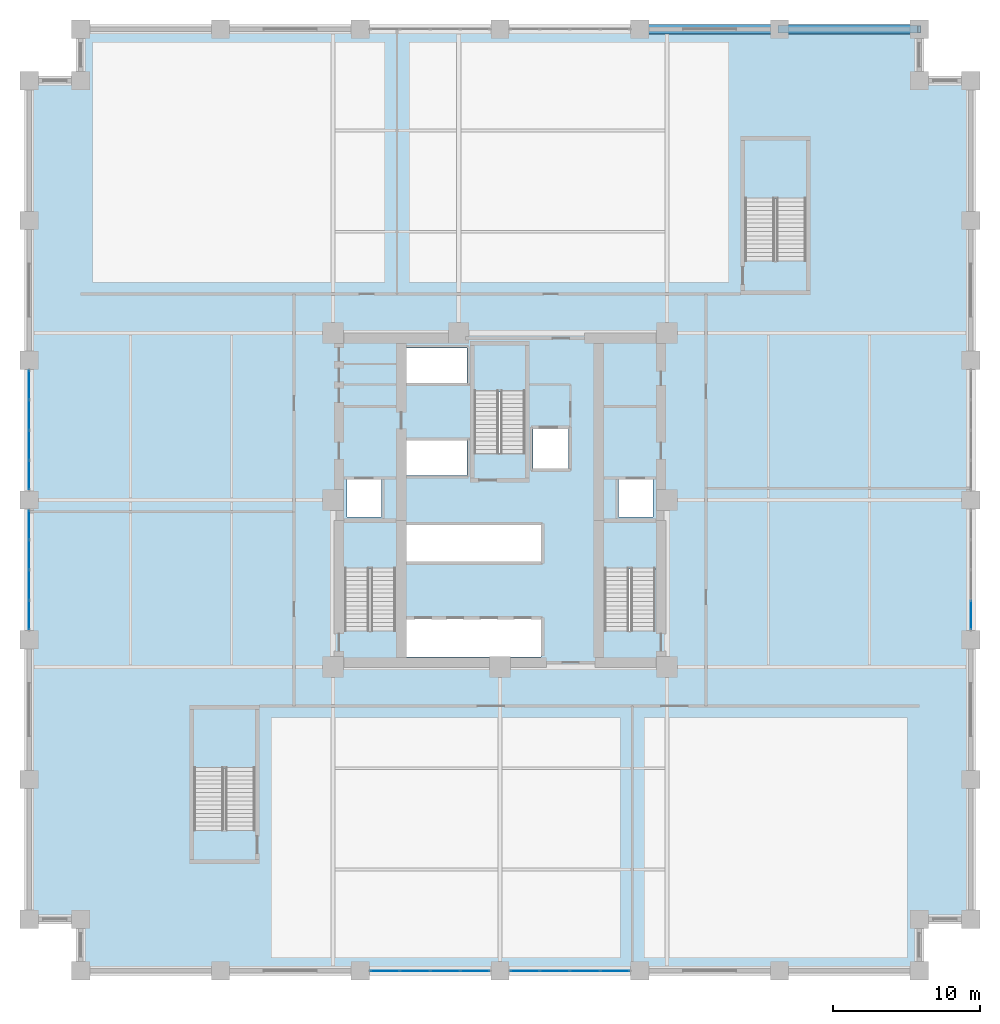
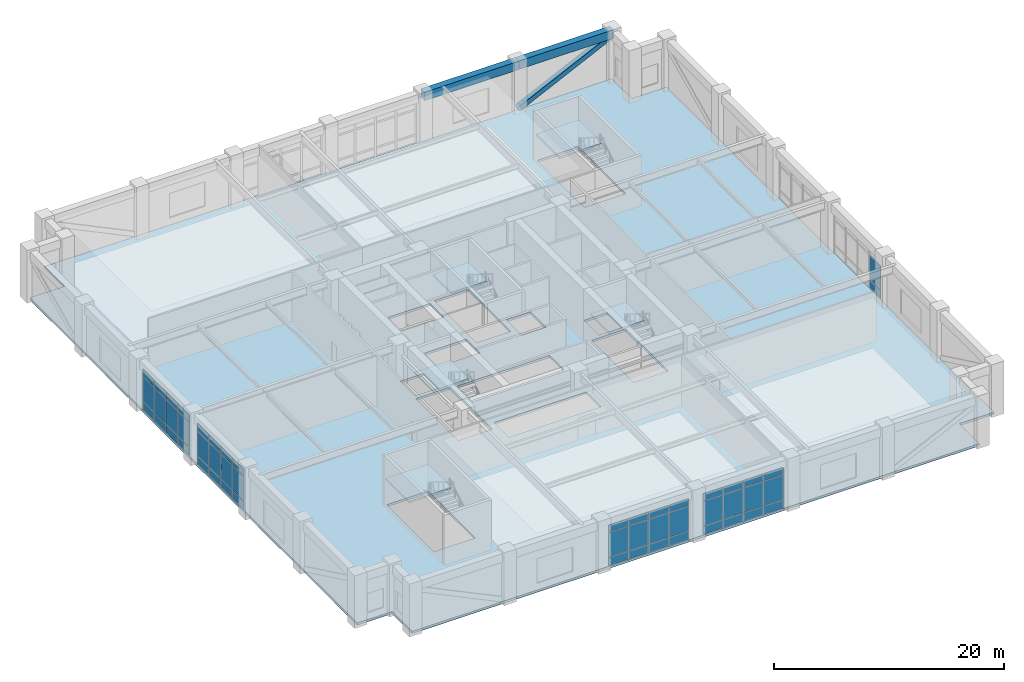
# One storey, part 10 of 21: 50 plates, 6 slabs, 2 beams, 1 member, 10 elements without a shape of their own.
"""IFC4 building model written with IfcOpenShell, lengths in metres."""

from ifc_helpers import new_model, si_unit, direction, frame, origin, origin_2d, place, context, subcontext, project, spatial, polyline, rectangle, hollow_rectangle, outline, extrude, material, layer, layer_set, material_profile, profile_set, type_object, element, aggregate, save


model = new_model("IFC4")

# Units and contexts
model_context = context("Model", 3, precision=1e-05, world=origin(), true_north=direction((0.0, 1.0)))
body_context = subcontext(model_context, "Body", "Model", "MODEL_VIEW")
ifc_project = project(units=[si_unit("LENGTHUNIT", "METRE"), si_unit("AREAUNIT", "SQUARE_METRE"), si_unit("VOLUMEUNIT", "CUBIC_METRE"), si_unit("PLANEANGLEUNIT", "RADIAN"), si_unit("MASSUNIT", "GRAM", prefix="KILO")], contexts=[model_context])

# Site, building, storey
site_placement = place(None, origin())
site = spatial("IfcSite", under=ifc_project, at=site_placement, CompositionType="ELEMENT")
building_placement = place(site_placement, origin())
building = spatial("IfcBuilding", under=site, at=building_placement, Name="Nhamokura Convention Tower", CompositionType="ELEMENT")
storey_placement = place(building_placement, frame((0.0, 0.0, 12.25)))
storey = spatial("IfcBuildingStorey", under=building, at=storey_placement, Name="L02", CompositionType="ELEMENT", Elevation=12.25)

# Member
ifc_material_1 = material(Name="Steel ASTM A572 Gr 50", Category="steel")
ifc_material_profile_1 = material_profile(ifc_material_1, hollow_rectangle(XDim=0.5, YDim=0.5, WallThickness=0.02490234375, at=origin_2d()))
ifc_profile_set_1 = profile_set([ifc_material_profile_1], Name="Steel ASTM A572 Gr 50")
member_type = type_object("IfcMemberType", Name="TubeBrace_HSS500", PredefinedType="BRACE", material=ifc_profile_set_1)
member_placement = place(storey_placement, frame((51.0, 64.0, 0.14990234375), z_axis=(0.901520888263, 0.0, 0.432735586734), x_axis=(0.0, 1.0, 0.0)))
element("IfcMember", 1, at=member_placement, inside=storey, type_object=member_type, Name="L02 Perimeter Tube Brace NORTH Bay 5", PredefinedType="BRACE", context=body_context, shape_type="SweptSolid", body=[
    extrude(hollow_rectangle(XDim=0.5, YDim=0.5, WallThickness=0.02490234375, at=origin_2d()), origin(), (0.0, 0.0, 1.0), 10.537841796875),
])

# Beams
ifc_material_2 = material(Name="Concrete C60/75", Category="concrete")
ifc_material_profile_2 = material_profile(ifc_material_2, rectangle(XDim=0.64990234375, YDim=0.89990234375, at=origin_2d()))
ifc_profile_set_2 = profile_set([ifc_material_profile_2], Name="Concrete C60/75")
beam_type = type_object("IfcBeamType", Name="TubeSpandrel_900", PredefinedType="SPANDREL", material=ifc_profile_set_2)
for number, where, z_axis, x_axis, name in (
    (2, (41.5, 64.0, 4.909912109375), (1.0, 0.0, 0.0), (0.0, 1.0, 0.0), "L02 Perimeter Spandrel NORTH 5"),
    (3, (51.0, 64.0, 4.909912109375), (1.0, 0.0, 0.0), (0.0, 1.0, 0.0), "L02 Perimeter Spandrel NORTH 6"),
):
    element("IfcBeam", number, at=place(storey_placement, frame(where, z_axis=z_axis, x_axis=x_axis)), inside=storey, type_object=beam_type, Name=name, PredefinedType="SPANDREL", context=body_context, shape_type="SweptSolid", body=[
        extrude(rectangle(XDim=0.64990234375, YDim=0.89990234375, at=origin_2d()), origin(), (0.0, 0.0, 1.0), 9.5),
    ])

# Curtain wall, plates
ifc_material_3 = material(Name="Anodised bronze aluminium AA6063-T6", Category="aluminium")
ifc_layer_1 = layer(ifc_material_3, 0.199951171875)
ifc_layer_set_1 = layer_set([ifc_layer_1], Name="CWSystem_ConventionFoyer")
curtain_wall_type = type_object("IfcCurtainWallType", Name="CWSystem_ConventionFoyer", PredefinedType="NOTDEFINED", material=ifc_layer_set_1)
curtain_wall_1_placement = place(storey_placement, origin())
curtain_wall_1 = element("IfcCurtainWall", 4, at=curtain_wall_1_placement, inside=storey, type_object=curtain_wall_type, Name="L02 Curtain Wall ENV-L02-CW-S2", PredefinedType="NOTDEFINED")
ifc_material_4 = material(Name="Solar-control bronze low-E double glass", Category="glass")
ifc_layer_2 = layer(ifc_material_4, 0.035888671875)
ifc_layer_set_2 = layer_set([ifc_layer_2], Name="CWGlazedPanel_2")
plate_type = type_object("IfcPlateType", Name="CWGlazedPanel_2", PredefinedType="CURTAIN_PANEL", material=ifc_layer_set_2)
plate_1_placement = place(storey_placement, frame((30.30615234375, 0.0, 0.074951171875), z_axis=(0.0, 0.0, 1.0), x_axis=(-1.0, 0.0, 0.0)))
plate_1 = element("IfcPlate", 5, at=plate_1_placement, type_object=plate_type, Name="CW-02 panel 1.1", PredefinedType="CURTAIN_PANEL", context=body_context, shape_type="SweptSolid", body=[
    extrude(rectangle(XDim=1.9375, YDim=0.035888671875, at=origin_2d()), origin(), (0.0, 0.0, 1.0), 0.83740234375),
])
plate_2_placement = place(storey_placement, frame((30.30615234375, 0.0, 0.987548828125), z_axis=(0.0, 0.0, 1.0), x_axis=(-1.0, 0.0, 0.0)))
plate_2 = element("IfcPlate", 6, at=plate_2_placement, type_object=plate_type, Name="CW-02 panel 1.2", PredefinedType="CURTAIN_PANEL", context=body_context, shape_type="SweptSolid", body=[
    extrude(rectangle(XDim=1.9375, YDim=0.035888671875, at=origin_2d()), origin(), (0.0, 0.0, 1.0), 2.5849609375),
])
plate_3_placement = place(storey_placement, frame((30.30615234375, 0.0, 3.6474609375), z_axis=(0.0, 0.0, 1.0), x_axis=(-1.0, 0.0, 0.0)))
plate_3 = element("IfcPlate", 7, at=plate_3_placement, type_object=plate_type, Name="CW-02 panel 1.3", PredefinedType="CURTAIN_PANEL", context=body_context, shape_type="SweptSolid", body=[
    extrude(rectangle(XDim=1.9375, YDim=0.035888671875, at=origin_2d()), origin(), (0.0, 0.0, 1.0), 0.737548828125),
])
plate_4_placement = place(storey_placement, frame((28.27490234375, 0.0, 0.074951171875), z_axis=(0.0, 0.0, 1.0), x_axis=(-1.0, 0.0, 0.0)))
plate_4 = element("IfcPlate", 8, at=plate_4_placement, type_object=plate_type, Name="CW-02 panel 2.1", PredefinedType="CURTAIN_PANEL", context=body_context, shape_type="SweptSolid", body=[
    extrude(rectangle(XDim=1.97509765625, YDim=0.035888671875, at=origin_2d()), origin(), (0.0, 0.0, 1.0), 0.83740234375),
])
plate_5_placement = place(storey_placement, frame((28.27490234375, 0.0, 0.987548828125), z_axis=(0.0, 0.0, 1.0), x_axis=(-1.0, 0.0, 0.0)))
plate_5 = element("IfcPlate", 9, at=plate_5_placement, type_object=plate_type, Name="CW-02 panel 2.2", PredefinedType="CURTAIN_PANEL", context=body_context, shape_type="SweptSolid", body=[
    extrude(rectangle(XDim=1.97509765625, YDim=0.035888671875, at=origin_2d()), origin(), (0.0, 0.0, 1.0), 2.5849609375),
])
plate_6_placement = place(storey_placement, frame((28.27490234375, 0.0, 3.6474609375), z_axis=(0.0, 0.0, 1.0), x_axis=(-1.0, 0.0, 0.0)))
plate_6 = element("IfcPlate", 10, at=plate_6_placement, type_object=plate_type, Name="CW-02 panel 2.3", PredefinedType="CURTAIN_PANEL", context=body_context, shape_type="SweptSolid", body=[
    extrude(rectangle(XDim=1.97509765625, YDim=0.035888671875, at=origin_2d()), origin(), (0.0, 0.0, 1.0), 0.737548828125),
])
plate_7_placement = place(storey_placement, frame((26.22509765625, 0.0, 0.074951171875), z_axis=(0.0, 0.0, 1.0), x_axis=(-1.0, 0.0, 0.0)))
plate_7 = element("IfcPlate", 11, at=plate_7_placement, type_object=plate_type, Name="CW-02 panel 3.1", PredefinedType="CURTAIN_PANEL", context=body_context, shape_type="SweptSolid", body=[
    extrude(rectangle(XDim=1.97509765625, YDim=0.035888671875, at=origin_2d()), origin(), (0.0, 0.0, 1.0), 0.83740234375),
])
plate_8_placement = place(storey_placement, frame((26.22509765625, 0.0, 0.987548828125), z_axis=(0.0, 0.0, 1.0), x_axis=(-1.0, 0.0, 0.0)))
plate_8 = element("IfcPlate", 12, at=plate_8_placement, type_object=plate_type, Name="CW-02 panel 3.2", PredefinedType="CURTAIN_PANEL", context=body_context, shape_type="SweptSolid", body=[
    extrude(rectangle(XDim=1.97509765625, YDim=0.035888671875, at=origin_2d()), origin(), (0.0, 0.0, 1.0), 2.5849609375),
])
plate_9_placement = place(storey_placement, frame((26.22509765625, 0.0, 3.6474609375), z_axis=(0.0, 0.0, 1.0), x_axis=(-1.0, 0.0, 0.0)))
plate_9 = element("IfcPlate", 13, at=plate_9_placement, type_object=plate_type, Name="CW-02 panel 3.3", PredefinedType="CURTAIN_PANEL", context=body_context, shape_type="SweptSolid", body=[
    extrude(rectangle(XDim=1.97509765625, YDim=0.035888671875, at=origin_2d()), origin(), (0.0, 0.0, 1.0), 0.737548828125),
])
plate_10_placement = place(storey_placement, frame((24.19384765625, 0.0, 0.074951171875), z_axis=(0.0, 0.0, 1.0), x_axis=(-1.0, 0.0, 0.0)))
plate_10 = element("IfcPlate", 14, at=plate_10_placement, type_object=plate_type, Name="CW-02 panel 4.1", PredefinedType="CURTAIN_PANEL", context=body_context, shape_type="SweptSolid", body=[
    extrude(rectangle(XDim=1.9375, YDim=0.035888671875, at=origin_2d()), origin(), (0.0, 0.0, 1.0), 0.83740234375),
])
plate_11_placement = place(storey_placement, frame((24.19384765625, 0.0, 0.987548828125), z_axis=(0.0, 0.0, 1.0), x_axis=(-1.0, 0.0, 0.0)))
plate_11 = element("IfcPlate", 15, at=plate_11_placement, type_object=plate_type, Name="CW-02 panel 4.2", PredefinedType="CURTAIN_PANEL", context=body_context, shape_type="SweptSolid", body=[
    extrude(rectangle(XDim=1.9375, YDim=0.035888671875, at=origin_2d()), origin(), (0.0, 0.0, 1.0), 2.5849609375),
])
plate_12_placement = place(storey_placement, frame((24.19384765625, 0.0, 3.6474609375), z_axis=(0.0, 0.0, 1.0), x_axis=(-1.0, 0.0, 0.0)))
plate_12 = element("IfcPlate", 16, at=plate_12_placement, type_object=plate_type, Name="CW-02 panel 4.3", PredefinedType="CURTAIN_PANEL", context=body_context, shape_type="SweptSolid", body=[
    extrude(rectangle(XDim=1.9375, YDim=0.035888671875, at=origin_2d()), origin(), (0.0, 0.0, 1.0), 0.737548828125),
])
aggregate(curtain_wall_1, [plate_1, plate_2, plate_3, plate_4, plate_5, plate_6, plate_7, plate_8, plate_9, plate_10, plate_11, plate_12])

curtain_wall_2_placement = place(storey_placement, origin())
curtain_wall_2 = element("IfcCurtainWall", 17, at=curtain_wall_2_placement, inside=storey, type_object=curtain_wall_type, Name="L02 Curtain Wall ENV-L02-CW-S3", PredefinedType="NOTDEFINED")
plate_13_placement = place(storey_placement, frame((39.80615234375, 0.0, 0.074951171875), z_axis=(0.0, 0.0, 1.0), x_axis=(-1.0, 0.0, 0.0)))
plate_13 = element("IfcPlate", 18, at=plate_13_placement, type_object=plate_type, Name="CW-02 panel 1.1", PredefinedType="CURTAIN_PANEL", context=body_context, shape_type="SweptSolid", body=[
    extrude(rectangle(XDim=1.9375, YDim=0.035888671875, at=origin_2d()), origin(), (0.0, 0.0, 1.0), 0.83740234375),
])
plate_14_placement = place(storey_placement, frame((39.80615234375, 0.0, 0.987548828125), z_axis=(0.0, 0.0, 1.0), x_axis=(-1.0, 0.0, 0.0)))
plate_14 = element("IfcPlate", 19, at=plate_14_placement, type_object=plate_type, Name="CW-02 panel 1.2", PredefinedType="CURTAIN_PANEL", context=body_context, shape_type="SweptSolid", body=[
    extrude(rectangle(XDim=1.9375, YDim=0.035888671875, at=origin_2d()), origin(), (0.0, 0.0, 1.0), 2.5849609375),
])
plate_15_placement = place(storey_placement, frame((39.80615234375, 0.0, 3.6474609375), z_axis=(0.0, 0.0, 1.0), x_axis=(-1.0, 0.0, 0.0)))
plate_15 = element("IfcPlate", 20, at=plate_15_placement, type_object=plate_type, Name="CW-02 panel 1.3", PredefinedType="CURTAIN_PANEL", context=body_context, shape_type="SweptSolid", body=[
    extrude(rectangle(XDim=1.9375, YDim=0.035888671875, at=origin_2d()), origin(), (0.0, 0.0, 1.0), 0.737548828125),
])
plate_16_placement = place(storey_placement, frame((37.77490234375, 0.0, 0.074951171875), z_axis=(0.0, 0.0, 1.0), x_axis=(-1.0, 0.0, 0.0)))
plate_16 = element("IfcPlate", 21, at=plate_16_placement, type_object=plate_type, Name="CW-02 panel 2.1", PredefinedType="CURTAIN_PANEL", context=body_context, shape_type="SweptSolid", body=[
    extrude(rectangle(XDim=1.97509765625, YDim=0.035888671875, at=origin_2d()), origin(), (0.0, 0.0, 1.0), 0.83740234375),
])
plate_17_placement = place(storey_placement, frame((37.77490234375, 0.0, 0.987548828125), z_axis=(0.0, 0.0, 1.0), x_axis=(-1.0, 0.0, 0.0)))
plate_17 = element("IfcPlate", 22, at=plate_17_placement, type_object=plate_type, Name="CW-02 panel 2.2", PredefinedType="CURTAIN_PANEL", context=body_context, shape_type="SweptSolid", body=[
    extrude(rectangle(XDim=1.97509765625, YDim=0.035888671875, at=origin_2d()), origin(), (0.0, 0.0, 1.0), 2.5849609375),
])
plate_18_placement = place(storey_placement, frame((37.77490234375, 0.0, 3.6474609375), z_axis=(0.0, 0.0, 1.0), x_axis=(-1.0, 0.0, 0.0)))
plate_18 = element("IfcPlate", 23, at=plate_18_placement, type_object=plate_type, Name="CW-02 panel 2.3", PredefinedType="CURTAIN_PANEL", context=body_context, shape_type="SweptSolid", body=[
    extrude(rectangle(XDim=1.97509765625, YDim=0.035888671875, at=origin_2d()), origin(), (0.0, 0.0, 1.0), 0.737548828125),
])
plate_19_placement = place(storey_placement, frame((35.72509765625, 0.0, 0.074951171875), z_axis=(0.0, 0.0, 1.0), x_axis=(-1.0, 0.0, 0.0)))
plate_19 = element("IfcPlate", 24, at=plate_19_placement, type_object=plate_type, Name="CW-02 panel 3.1", PredefinedType="CURTAIN_PANEL", context=body_context, shape_type="SweptSolid", body=[
    extrude(rectangle(XDim=1.97509765625, YDim=0.035888671875, at=origin_2d()), origin(), (0.0, 0.0, 1.0), 0.83740234375),
])
plate_20_placement = place(storey_placement, frame((35.72509765625, 0.0, 0.987548828125), z_axis=(0.0, 0.0, 1.0), x_axis=(-1.0, 0.0, 0.0)))
plate_20 = element("IfcPlate", 25, at=plate_20_placement, type_object=plate_type, Name="CW-02 panel 3.2", PredefinedType="CURTAIN_PANEL", context=body_context, shape_type="SweptSolid", body=[
    extrude(rectangle(XDim=1.97509765625, YDim=0.035888671875, at=origin_2d()), origin(), (0.0, 0.0, 1.0), 2.5849609375),
])
plate_21_placement = place(storey_placement, frame((35.72509765625, 0.0, 3.6474609375), z_axis=(0.0, 0.0, 1.0), x_axis=(-1.0, 0.0, 0.0)))
plate_21 = element("IfcPlate", 26, at=plate_21_placement, type_object=plate_type, Name="CW-02 panel 3.3", PredefinedType="CURTAIN_PANEL", context=body_context, shape_type="SweptSolid", body=[
    extrude(rectangle(XDim=1.97509765625, YDim=0.035888671875, at=origin_2d()), origin(), (0.0, 0.0, 1.0), 0.737548828125),
])
plate_22_placement = place(storey_placement, frame((33.69384765625, 0.0, 0.074951171875), z_axis=(0.0, 0.0, 1.0), x_axis=(-1.0, 0.0, 0.0)))
plate_22 = element("IfcPlate", 27, at=plate_22_placement, type_object=plate_type, Name="CW-02 panel 4.1", PredefinedType="CURTAIN_PANEL", context=body_context, shape_type="SweptSolid", body=[
    extrude(rectangle(XDim=1.9375, YDim=0.035888671875, at=origin_2d()), origin(), (0.0, 0.0, 1.0), 0.83740234375),
])
plate_23_placement = place(storey_placement, frame((33.69384765625, 0.0, 0.987548828125), z_axis=(0.0, 0.0, 1.0), x_axis=(-1.0, 0.0, 0.0)))
plate_23 = element("IfcPlate", 28, at=plate_23_placement, type_object=plate_type, Name="CW-02 panel 4.2", PredefinedType="CURTAIN_PANEL", context=body_context, shape_type="SweptSolid", body=[
    extrude(rectangle(XDim=1.9375, YDim=0.035888671875, at=origin_2d()), origin(), (0.0, 0.0, 1.0), 2.5849609375),
])
plate_24_placement = place(storey_placement, frame((33.69384765625, 0.0, 3.6474609375), z_axis=(0.0, 0.0, 1.0), x_axis=(-1.0, 0.0, 0.0)))
plate_24 = element("IfcPlate", 29, at=plate_24_placement, type_object=plate_type, Name="CW-02 panel 4.3", PredefinedType="CURTAIN_PANEL", context=body_context, shape_type="SweptSolid", body=[
    extrude(rectangle(XDim=1.9375, YDim=0.035888671875, at=origin_2d()), origin(), (0.0, 0.0, 1.0), 0.737548828125),
])
aggregate(curtain_wall_2, [plate_13, plate_14, plate_15, plate_16, plate_17, plate_18, plate_19, plate_20, plate_21, plate_22, plate_23, plate_24])

curtain_wall_3_placement = place(storey_placement, origin())
curtain_wall_3 = element("IfcCurtainWall", 30, at=curtain_wall_3_placement, inside=storey, type_object=curtain_wall_type, Name="L02 Curtain Wall ENV-L02-CW-W2", PredefinedType="NOTDEFINED")
plate_25_placement = place(storey_placement, frame((0.0, 24.19384765625, 0.074951171875), z_axis=(0.0, 0.0, 1.0), x_axis=(0.0, 1.0, 0.0)))
plate_25 = element("IfcPlate", 31, at=plate_25_placement, type_object=plate_type, Name="CW-02 panel 1.1", PredefinedType="CURTAIN_PANEL", context=body_context, shape_type="SweptSolid", body=[
    extrude(rectangle(XDim=1.9375, YDim=0.035888671875, at=origin_2d()), origin(), (0.0, 0.0, 1.0), 0.83740234375),
])
plate_26_placement = place(storey_placement, frame((0.0, 24.19384765625, 0.987548828125), z_axis=(0.0, 0.0, 1.0), x_axis=(0.0, 1.0, 0.0)))
plate_26 = element("IfcPlate", 32, at=plate_26_placement, type_object=plate_type, Name="CW-02 panel 1.2", PredefinedType="CURTAIN_PANEL", context=body_context, shape_type="SweptSolid", body=[
    extrude(rectangle(XDim=1.9375, YDim=0.035888671875, at=origin_2d()), origin(), (0.0, 0.0, 1.0), 2.5849609375),
])
plate_27_placement = place(storey_placement, frame((0.0, 24.19384765625, 3.6474609375), z_axis=(0.0, 0.0, 1.0), x_axis=(0.0, 1.0, 0.0)))
plate_27 = element("IfcPlate", 33, at=plate_27_placement, type_object=plate_type, Name="CW-02 panel 1.3", PredefinedType="CURTAIN_PANEL", context=body_context, shape_type="SweptSolid", body=[
    extrude(rectangle(XDim=1.9375, YDim=0.035888671875, at=origin_2d()), origin(), (0.0, 0.0, 1.0), 0.737548828125),
])
plate_28_placement = place(storey_placement, frame((0.0, 26.22509765625, 0.074951171875), z_axis=(0.0, 0.0, 1.0), x_axis=(0.0, 1.0, 0.0)))
plate_28 = element("IfcPlate", 34, at=plate_28_placement, type_object=plate_type, Name="CW-02 panel 2.1", PredefinedType="CURTAIN_PANEL", context=body_context, shape_type="SweptSolid", body=[
    extrude(rectangle(XDim=1.97509765625, YDim=0.035888671875, at=origin_2d()), origin(), (0.0, 0.0, 1.0), 0.83740234375),
])
plate_29_placement = place(storey_placement, frame((0.0, 26.22509765625, 0.987548828125), z_axis=(0.0, 0.0, 1.0), x_axis=(0.0, 1.0, 0.0)))
plate_29 = element("IfcPlate", 35, at=plate_29_placement, type_object=plate_type, Name="CW-02 panel 2.2", PredefinedType="CURTAIN_PANEL", context=body_context, shape_type="SweptSolid", body=[
    extrude(rectangle(XDim=1.97509765625, YDim=0.035888671875, at=origin_2d()), origin(), (0.0, 0.0, 1.0), 2.5849609375),
])
plate_30_placement = place(storey_placement, frame((0.0, 26.22509765625, 3.6474609375), z_axis=(0.0, 0.0, 1.0), x_axis=(0.0, 1.0, 0.0)))
plate_30 = element("IfcPlate", 36, at=plate_30_placement, type_object=plate_type, Name="CW-02 panel 2.3", PredefinedType="CURTAIN_PANEL", context=body_context, shape_type="SweptSolid", body=[
    extrude(rectangle(XDim=1.97509765625, YDim=0.035888671875, at=origin_2d()), origin(), (0.0, 0.0, 1.0), 0.737548828125),
])
plate_31_placement = place(storey_placement, frame((0.0, 28.27490234375, 0.074951171875), z_axis=(0.0, 0.0, 1.0), x_axis=(0.0, 1.0, 0.0)))
plate_31 = element("IfcPlate", 37, at=plate_31_placement, type_object=plate_type, Name="CW-02 panel 3.1", PredefinedType="CURTAIN_PANEL", context=body_context, shape_type="SweptSolid", body=[
    extrude(rectangle(XDim=1.97509765625, YDim=0.035888671875, at=origin_2d()), origin(), (0.0, 0.0, 1.0), 0.83740234375),
])
plate_32_placement = place(storey_placement, frame((0.0, 28.27490234375, 0.987548828125), z_axis=(0.0, 0.0, 1.0), x_axis=(0.0, 1.0, 0.0)))
plate_32 = element("IfcPlate", 38, at=plate_32_placement, type_object=plate_type, Name="CW-02 panel 3.2", PredefinedType="CURTAIN_PANEL", context=body_context, shape_type="SweptSolid", body=[
    extrude(rectangle(XDim=1.97509765625, YDim=0.035888671875, at=origin_2d()), origin(), (0.0, 0.0, 1.0), 2.5849609375),
])
plate_33_placement = place(storey_placement, frame((0.0, 28.27490234375, 3.6474609375), z_axis=(0.0, 0.0, 1.0), x_axis=(0.0, 1.0, 0.0)))
plate_33 = element("IfcPlate", 39, at=plate_33_placement, type_object=plate_type, Name="CW-02 panel 3.3", PredefinedType="CURTAIN_PANEL", context=body_context, shape_type="SweptSolid", body=[
    extrude(rectangle(XDim=1.97509765625, YDim=0.035888671875, at=origin_2d()), origin(), (0.0, 0.0, 1.0), 0.737548828125),
])
plate_34_placement = place(storey_placement, frame((0.0, 30.30615234375, 0.074951171875), z_axis=(0.0, 0.0, 1.0), x_axis=(0.0, 1.0, 0.0)))
plate_34 = element("IfcPlate", 40, at=plate_34_placement, type_object=plate_type, Name="CW-02 panel 4.1", PredefinedType="CURTAIN_PANEL", context=body_context, shape_type="SweptSolid", body=[
    extrude(rectangle(XDim=1.9375, YDim=0.035888671875, at=origin_2d()), origin(), (0.0, 0.0, 1.0), 0.83740234375),
])
plate_35_placement = place(storey_placement, frame((0.0, 30.30615234375, 0.987548828125), z_axis=(0.0, 0.0, 1.0), x_axis=(0.0, 1.0, 0.0)))
plate_35 = element("IfcPlate", 41, at=plate_35_placement, type_object=plate_type, Name="CW-02 panel 4.2", PredefinedType="CURTAIN_PANEL", context=body_context, shape_type="SweptSolid", body=[
    extrude(rectangle(XDim=1.9375, YDim=0.035888671875, at=origin_2d()), origin(), (0.0, 0.0, 1.0), 2.5849609375),
])
plate_36_placement = place(storey_placement, frame((0.0, 30.30615234375, 3.6474609375), z_axis=(0.0, 0.0, 1.0), x_axis=(0.0, 1.0, 0.0)))
plate_36 = element("IfcPlate", 42, at=plate_36_placement, type_object=plate_type, Name="CW-02 panel 4.3", PredefinedType="CURTAIN_PANEL", context=body_context, shape_type="SweptSolid", body=[
    extrude(rectangle(XDim=1.9375, YDim=0.035888671875, at=origin_2d()), origin(), (0.0, 0.0, 1.0), 0.737548828125),
])
aggregate(curtain_wall_3, [plate_25, plate_26, plate_27, plate_28, plate_29, plate_30, plate_31, plate_32, plate_33, plate_34, plate_35, plate_36])

curtain_wall_4_placement = place(storey_placement, origin())
curtain_wall_4 = element("IfcCurtainWall", 43, at=curtain_wall_4_placement, inside=storey, type_object=curtain_wall_type, Name="L02 Curtain Wall ENV-L02-CW-W3", PredefinedType="NOTDEFINED")
plate_37_placement = place(storey_placement, frame((0.0, 33.69384765625, 0.074951171875), z_axis=(0.0, 0.0, 1.0), x_axis=(0.0, 1.0, 0.0)))
plate_37 = element("IfcPlate", 44, at=plate_37_placement, type_object=plate_type, Name="CW-02 panel 1.1", PredefinedType="CURTAIN_PANEL", context=body_context, shape_type="SweptSolid", body=[
    extrude(rectangle(XDim=1.9375, YDim=0.035888671875, at=origin_2d()), origin(), (0.0, 0.0, 1.0), 0.83740234375),
])
plate_38_placement = place(storey_placement, frame((0.0, 33.69384765625, 0.987548828125), z_axis=(0.0, 0.0, 1.0), x_axis=(0.0, 1.0, 0.0)))
plate_38 = element("IfcPlate", 45, at=plate_38_placement, type_object=plate_type, Name="CW-02 panel 1.2", PredefinedType="CURTAIN_PANEL", context=body_context, shape_type="SweptSolid", body=[
    extrude(rectangle(XDim=1.9375, YDim=0.035888671875, at=origin_2d()), origin(), (0.0, 0.0, 1.0), 2.5849609375),
])
plate_39_placement = place(storey_placement, frame((0.0, 33.69384765625, 3.6474609375), z_axis=(0.0, 0.0, 1.0), x_axis=(0.0, 1.0, 0.0)))
plate_39 = element("IfcPlate", 46, at=plate_39_placement, type_object=plate_type, Name="CW-02 panel 1.3", PredefinedType="CURTAIN_PANEL", context=body_context, shape_type="SweptSolid", body=[
    extrude(rectangle(XDim=1.9375, YDim=0.035888671875, at=origin_2d()), origin(), (0.0, 0.0, 1.0), 0.737548828125),
])
plate_40_placement = place(storey_placement, frame((0.0, 35.72509765625, 0.074951171875), z_axis=(0.0, 0.0, 1.0), x_axis=(0.0, 1.0, 0.0)))
plate_40 = element("IfcPlate", 47, at=plate_40_placement, type_object=plate_type, Name="CW-02 panel 2.1", PredefinedType="CURTAIN_PANEL", context=body_context, shape_type="SweptSolid", body=[
    extrude(rectangle(XDim=1.97509765625, YDim=0.035888671875, at=origin_2d()), origin(), (0.0, 0.0, 1.0), 0.83740234375),
])
plate_41_placement = place(storey_placement, frame((0.0, 35.72509765625, 0.987548828125), z_axis=(0.0, 0.0, 1.0), x_axis=(0.0, 1.0, 0.0)))
plate_41 = element("IfcPlate", 48, at=plate_41_placement, type_object=plate_type, Name="CW-02 panel 2.2", PredefinedType="CURTAIN_PANEL", context=body_context, shape_type="SweptSolid", body=[
    extrude(rectangle(XDim=1.97509765625, YDim=0.035888671875, at=origin_2d()), origin(), (0.0, 0.0, 1.0), 2.5849609375),
])
plate_42_placement = place(storey_placement, frame((0.0, 35.72509765625, 3.6474609375), z_axis=(0.0, 0.0, 1.0), x_axis=(0.0, 1.0, 0.0)))
plate_42 = element("IfcPlate", 49, at=plate_42_placement, type_object=plate_type, Name="CW-02 panel 2.3", PredefinedType="CURTAIN_PANEL", context=body_context, shape_type="SweptSolid", body=[
    extrude(rectangle(XDim=1.97509765625, YDim=0.035888671875, at=origin_2d()), origin(), (0.0, 0.0, 1.0), 0.737548828125),
])
plate_43_placement = place(storey_placement, frame((0.0, 37.77490234375, 0.074951171875), z_axis=(0.0, 0.0, 1.0), x_axis=(0.0, 1.0, 0.0)))
plate_43 = element("IfcPlate", 50, at=plate_43_placement, type_object=plate_type, Name="CW-02 panel 3.1", PredefinedType="CURTAIN_PANEL", context=body_context, shape_type="SweptSolid", body=[
    extrude(rectangle(XDim=1.97509765625, YDim=0.035888671875, at=origin_2d()), origin(), (0.0, 0.0, 1.0), 0.83740234375),
])
plate_44_placement = place(storey_placement, frame((0.0, 37.77490234375, 0.987548828125), z_axis=(0.0, 0.0, 1.0), x_axis=(0.0, 1.0, 0.0)))
plate_44 = element("IfcPlate", 51, at=plate_44_placement, type_object=plate_type, Name="CW-02 panel 3.2", PredefinedType="CURTAIN_PANEL", context=body_context, shape_type="SweptSolid", body=[
    extrude(rectangle(XDim=1.97509765625, YDim=0.035888671875, at=origin_2d()), origin(), (0.0, 0.0, 1.0), 2.5849609375),
])
plate_45_placement = place(storey_placement, frame((0.0, 37.77490234375, 3.6474609375), z_axis=(0.0, 0.0, 1.0), x_axis=(0.0, 1.0, 0.0)))
plate_45 = element("IfcPlate", 52, at=plate_45_placement, type_object=plate_type, Name="CW-02 panel 3.3", PredefinedType="CURTAIN_PANEL", context=body_context, shape_type="SweptSolid", body=[
    extrude(rectangle(XDim=1.97509765625, YDim=0.035888671875, at=origin_2d()), origin(), (0.0, 0.0, 1.0), 0.737548828125),
])
plate_46_placement = place(storey_placement, frame((0.0, 39.80615234375, 0.074951171875), z_axis=(0.0, 0.0, 1.0), x_axis=(0.0, 1.0, 0.0)))
plate_46 = element("IfcPlate", 53, at=plate_46_placement, type_object=plate_type, Name="CW-02 panel 4.1", PredefinedType="CURTAIN_PANEL", context=body_context, shape_type="SweptSolid", body=[
    extrude(rectangle(XDim=1.9375, YDim=0.035888671875, at=origin_2d()), origin(), (0.0, 0.0, 1.0), 0.83740234375),
])
plate_47_placement = place(storey_placement, frame((0.0, 39.80615234375, 0.987548828125), z_axis=(0.0, 0.0, 1.0), x_axis=(0.0, 1.0, 0.0)))
plate_47 = element("IfcPlate", 54, at=plate_47_placement, type_object=plate_type, Name="CW-02 panel 4.2", PredefinedType="CURTAIN_PANEL", context=body_context, shape_type="SweptSolid", body=[
    extrude(rectangle(XDim=1.9375, YDim=0.035888671875, at=origin_2d()), origin(), (0.0, 0.0, 1.0), 2.5849609375),
])
plate_48_placement = place(storey_placement, frame((0.0, 39.80615234375, 3.6474609375), z_axis=(0.0, 0.0, 1.0), x_axis=(0.0, 1.0, 0.0)))
plate_48 = element("IfcPlate", 55, at=plate_48_placement, type_object=plate_type, Name="CW-02 panel 4.3", PredefinedType="CURTAIN_PANEL", context=body_context, shape_type="SweptSolid", body=[
    extrude(rectangle(XDim=1.9375, YDim=0.035888671875, at=origin_2d()), origin(), (0.0, 0.0, 1.0), 0.737548828125),
])
aggregate(curtain_wall_4, [plate_37, plate_38, plate_39, plate_40, plate_41, plate_42, plate_43, plate_44, plate_45, plate_46, plate_47, plate_48])

curtain_wall_5_placement = place(storey_placement, origin())
curtain_wall_5 = element("IfcCurtainWall", 56, at=curtain_wall_5_placement, inside=storey, type_object=curtain_wall_type, Name="L02 Curtain Wall ENV-L02-CW-E2", PredefinedType="NOTDEFINED")
plate_49_placement = place(storey_placement, frame((64.0, 24.19384765625, 0.074951171875), z_axis=(0.0, 0.0, 1.0), x_axis=(0.0, -1.0, 0.0)))
plate_49 = element("IfcPlate", 57, at=plate_49_placement, type_object=plate_type, Name="CW-02 panel 4.1", PredefinedType="CURTAIN_PANEL", context=body_context, shape_type="SweptSolid", body=[
    extrude(rectangle(XDim=1.9375, YDim=0.035888671875, at=origin_2d()), origin(), (0.0, 0.0, 1.0), 0.83740234375),
])
plate_50_placement = place(storey_placement, frame((64.0, 24.19384765625, 0.987548828125), z_axis=(0.0, 0.0, 1.0), x_axis=(0.0, -1.0, 0.0)))
plate_50 = element("IfcPlate", 58, at=plate_50_placement, type_object=plate_type, Name="CW-02 panel 4.2", PredefinedType="CURTAIN_PANEL", context=body_context, shape_type="SweptSolid", body=[
    extrude(rectangle(XDim=1.9375, YDim=0.035888671875, at=origin_2d()), origin(), (0.0, 0.0, 1.0), 2.5849609375),
])
aggregate(curtain_wall_5, [plate_49, plate_50])

# Slab
ifc_material_5 = material(Name="Concrete C40/50", Category="concrete")
ifc_layer_3 = layer(ifc_material_5, 0.239990234375)
ifc_layer_set_3 = layer_set([ifc_layer_3], Name="ConventionHallSlab_240")
slab_type_1 = type_object("IfcSlabType", Name="ConventionHallSlab_240", PredefinedType="FLOOR", material=ifc_layer_set_3)
slab_1_placement = place(storey_placement, frame((0.0, 0.0, -0.239990234375)))
element("IfcSlab", 59, at=slab_1_placement, inside=storey, type_object=slab_type_1, Name="L02 Structural Floor Slab", PredefinedType="FLOOR", context=body_context, shape_type="SweptSolid", body=[
    extrude(outline(polyline([(3.5, 0.0), (60.5, 0.0), (60.5, 3.5), (64.0, 3.5), (64.0, 60.5), (60.5, 60.5), (60.5, 64.0), (3.5, 64.0), (3.5, 60.5), (0.0, 60.5), (0.0, 3.5), (3.5, 3.5), (3.5, 0.0)]), holes=[polyline([(24.89990234375, 23.10009765625), (24.89990234375, 30.449951171875), (21.449951171875, 30.449951171875), (21.449951171875, 23.10009765625), (24.89990234375, 23.10009765625)]), polyline([(42.550048828125, 23.10009765625), (42.550048828125, 30.449951171875), (39.10009765625, 30.449951171875), (39.10009765625, 23.10009765625), (42.550048828125, 23.10009765625)]), polyline([(33.699951171875, 35.14990234375), (33.699951171875, 42.5), (30.25, 42.5), (30.25, 35.14990234375), (33.699951171875, 35.14990234375)]), polyline([(15.35009765625, 9.550048828125), (15.35009765625, 17.75), (11.199951171875, 17.75), (11.199951171875, 9.550048828125), (15.35009765625, 9.550048828125)]), polyline([(52.800048828125, 48.25), (52.800048828125, 56.449951171875), (48.64990234375, 56.449951171875), (48.64990234375, 48.25), (52.800048828125, 48.25)]), polyline([(21.60009765625, 30.85009765625), (23.949951171875, 30.85009765625), (23.949951171875, 33.39990234375), (21.60009765625, 33.39990234375), (21.60009765625, 30.85009765625)]), polyline([(40.050048828125, 30.85009765625), (42.39990234375, 30.85009765625), (42.39990234375, 33.39990234375), (40.050048828125, 33.39990234375), (40.050048828125, 30.85009765625)]), polyline([(34.25, 34.14990234375), (36.64990234375, 34.14990234375), (36.64990234375, 36.85009765625), (34.25, 36.85009765625), (34.25, 34.14990234375)]), polyline([(25.52001953125, 21.320068359375), (34.800048828125, 21.320068359375), (34.800048828125, 23.89990234375), (25.52001953125, 23.89990234375), (25.52001953125, 21.320068359375)]), polyline([(25.52001953125, 27.800048828125), (34.800048828125, 27.800048828125), (34.800048828125, 30.300048828125), (25.52001953125, 30.300048828125), (25.52001953125, 27.800048828125)]), polyline([(25.52001953125, 33.679931640625), (29.75, 33.679931640625), (29.75, 36.050048828125), (25.52001953125, 36.050048828125), (25.52001953125, 33.679931640625)]), polyline([(25.52001953125, 39.949951171875), (29.75, 39.949951171875), (29.75, 42.320068359375), (25.52001953125, 42.320068359375), (25.52001953125, 39.949951171875)])]), origin(), (0.0, 0.0, 1.0), 0.239990234375),
])

# Stair, slab
ifc_material_6 = material(Name="Concrete C40/50", Category="concrete")
stair_type_1 = type_object("IfcStairType", Name="TowerCoreStair_1650", PredefinedType="HALF_TURN_STAIR", material=ifc_material_6)
stair_1_placement = place(storey_placement, origin())
stair_1 = element("IfcStair", 60, at=stair_1_placement, inside=storey, type_object=stair_type_1, Name="L02 West Core Smokeproof Stair ST-01", PredefinedType="HALF_TURN_STAIR")
ifc_material_7 = material(Name="Concrete C40/50", Category="concrete")
ifc_layer_4 = layer(ifc_material_7, 0.199951171875)
ifc_layer_set_4 = layer_set([ifc_layer_4], Name="StairLandingSlab_200")
slab_type_2 = type_object("IfcSlabType", Name="StairLandingSlab_200", PredefinedType="LANDING", material=ifc_layer_set_4)
slab_2_placement = place(storey_placement, frame((0.0, 0.0, 2.60009765625)))
slab_2 = element("IfcSlab", 61, at=slab_2_placement, type_object=slab_type_2, Name="ST-01 landing 1", PredefinedType="LANDING", context=body_context, shape_type="SweptSolid", body=[
    extrude(outline(polyline([(24.97998046875, 27.294921875), (24.97998046875, 30.530029296875), (21.3701171875, 30.530029296875), (21.3701171875, 27.294921875), (24.97998046875, 27.294921875)])), origin(), (0.0, 0.0, 1.0), 0.199951171875),
])
aggregate(stair_1, [slab_2])

stair_2_placement = place(storey_placement, origin())
stair_2 = element("IfcStair", 62, at=stair_2_placement, inside=storey, type_object=stair_type_1, Name="L02 East Core Smokeproof Stair ST-02", PredefinedType="HALF_TURN_STAIR")
slab_3_placement = place(storey_placement, frame((0.0, 0.0, 2.60009765625)))
slab_3 = element("IfcSlab", 63, at=slab_3_placement, type_object=slab_type_2, Name="ST-02 landing 1", PredefinedType="LANDING", context=body_context, shape_type="SweptSolid", body=[
    extrude(outline(polyline([(42.6298828125, 27.294921875), (42.6298828125, 30.530029296875), (39.02001953125, 30.530029296875), (39.02001953125, 27.294921875), (42.6298828125, 27.294921875)])), origin(), (0.0, 0.0, 1.0), 0.199951171875),
])
aggregate(stair_2, [slab_3])

stair_3_placement = place(storey_placement, origin())
stair_3 = element("IfcStair", 64, at=stair_3_placement, inside=storey, type_object=stair_type_1, Name="L02 North Core Smokeproof Stair ST-03", PredefinedType="HALF_TURN_STAIR")
slab_4_placement = place(storey_placement, frame((0.0, 0.0, 2.60009765625)))
slab_4 = element("IfcSlab", 65, at=slab_4_placement, type_object=slab_type_2, Name="ST-03 landing 1", PredefinedType="LANDING", context=body_context, shape_type="SweptSolid", body=[
    extrude(outline(polyline([(33.780029296875, 39.344970703125), (33.780029296875, 42.580078125), (30.169921875, 42.580078125), (30.169921875, 39.344970703125), (33.780029296875, 39.344970703125)])), origin(), (0.0, 0.0, 1.0), 0.199951171875),
])
aggregate(stair_3, [slab_4])

ifc_material_8 = material(Name="Concrete C40/50", Category="concrete")
stair_type_2 = type_object("IfcStairType", Name="PodiumExitStair_2000", PredefinedType="HALF_TURN_STAIR", material=ifc_material_8)
stair_4_placement = place(storey_placement, origin())
stair_4 = element("IfcStair", 66, at=stair_4_placement, inside=storey, type_object=stair_type_2, Name="L02 South-West Podium Smokeproof Stair ST-04", PredefinedType="HALF_TURN_STAIR")
slab_5_placement = place(storey_placement, frame((0.0, 0.0, 2.60009765625)))
slab_5 = element("IfcSlab", 67, at=slab_5_placement, type_object=slab_type_2, Name="ST-04 landing 1", PredefinedType="LANDING", context=body_context, shape_type="SweptSolid", body=[
    extrude(outline(polyline([(15.429931640625, 13.7451171875), (15.429931640625, 17.830078125), (11.1201171875, 17.830078125), (11.1201171875, 13.7451171875), (15.429931640625, 13.7451171875)])), origin(), (0.0, 0.0, 1.0), 0.199951171875),
])
aggregate(stair_4, [slab_5])

stair_5_placement = place(storey_placement, origin())
stair_5 = element("IfcStair", 68, at=stair_5_placement, inside=storey, type_object=stair_type_2, Name="L02 North-East Podium Smokeproof Stair ST-05", PredefinedType="HALF_TURN_STAIR")
slab_6_placement = place(storey_placement, frame((0.0, 0.0, 2.60009765625)))
slab_6 = element("IfcSlab", 69, at=slab_6_placement, type_object=slab_type_2, Name="ST-05 landing 1", PredefinedType="LANDING", context=body_context, shape_type="SweptSolid", body=[
    extrude(outline(polyline([(52.8798828125, 52.445068359375), (52.8798828125, 56.530029296875), (48.570068359375, 56.530029296875), (48.570068359375, 52.445068359375), (52.8798828125, 52.445068359375)])), origin(), (0.0, 0.0, 1.0), 0.199951171875),
])
aggregate(stair_5, [slab_6])

save(model, "model.ifc")
